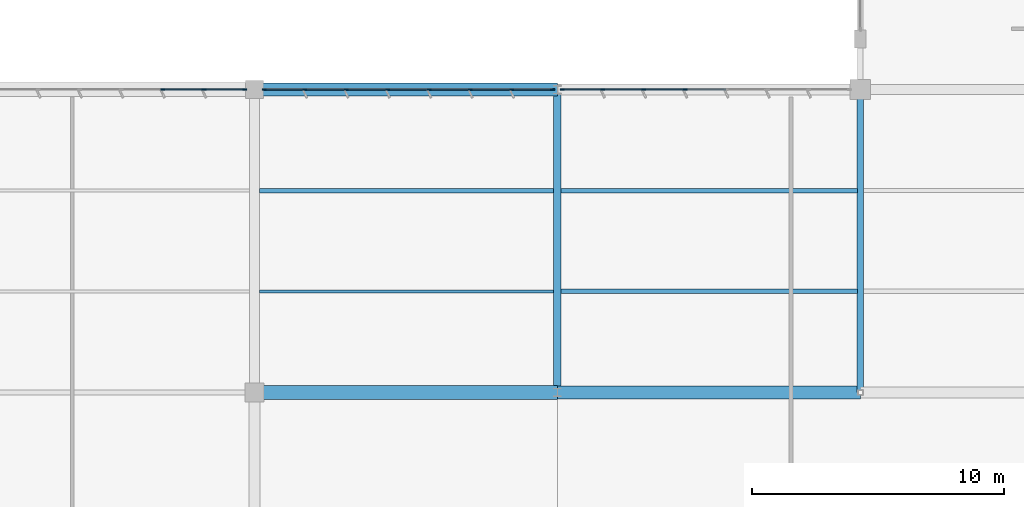
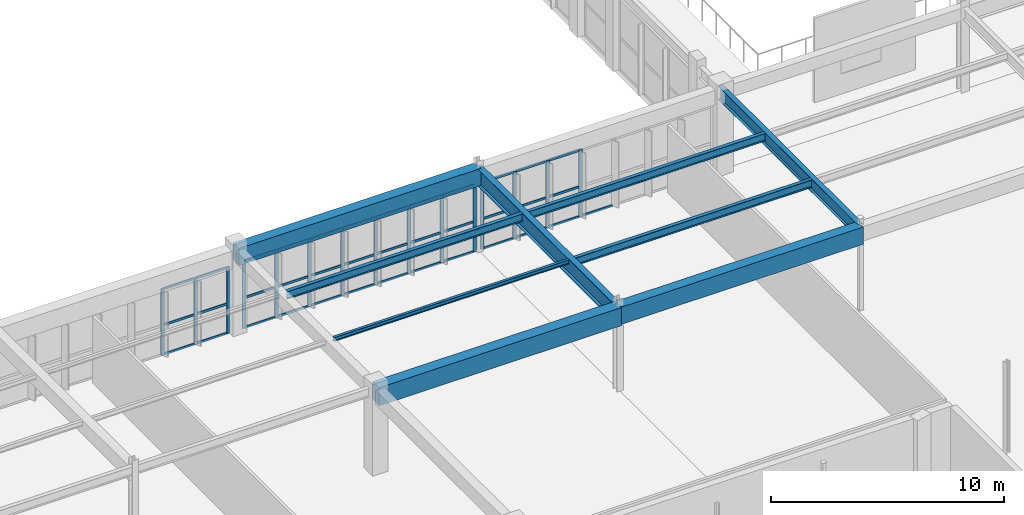
# One storey, part 83 of 226: 52 members, 9 beams, 3 elements without a shape of their own.
"""IFC4 building model written with IfcOpenShell, lengths in metres."""

from ifc_helpers import new_model, si_unit, direction, frame, origin, origin_2d, place, context, subcontext, project, spatial, rectangle, i_section, extrude, material, layer, layer_set, material_profile, profile_set, type_object, element, aggregate, save


model = new_model("IFC4")

# Units and contexts
model_context = context("Model", 3, precision=1e-05, world=origin(), true_north=direction((0.0, 1.0)))
body_context = subcontext(model_context, "Body", "Model", "MODEL_VIEW")
ifc_project = project(units=[si_unit("LENGTHUNIT", "METRE"), si_unit("AREAUNIT", "SQUARE_METRE"), si_unit("VOLUMEUNIT", "CUBIC_METRE"), si_unit("PLANEANGLEUNIT", "RADIAN"), si_unit("MASSUNIT", "GRAM", prefix="KILO")], contexts=[model_context])

# Site, building, storey
site_placement = place(None, origin())
site = spatial("IfcSite", under=ifc_project, at=site_placement, CompositionType="ELEMENT")
building_placement = place(site_placement, origin())
building = spatial("IfcBuilding", under=site, at=building_placement, Name="Tarnwether General Hospital", CompositionType="ELEMENT")
storey_placement = place(building_placement, frame((0.0, 0.0, 4.800048828125)))
storey = spatial("IfcBuildingStorey", under=building, at=storey_placement, Name="L01", CompositionType="ELEMENT", Elevation=4.800048828125)

# Beams
ifc_material_1 = material(Name="Steel Grade 350 (350 MPa)", Category="steel")
ifc_material_profile_1 = material_profile(ifc_material_1, i_section(OverallWidth=0.300048828125, OverallDepth=0.89990234375, WebThickness=0.011962890625, FlangeThickness=0.02001953125, at=origin_2d()), Name="900WB175")
ifc_profile_set_1 = profile_set([ifc_material_profile_1], Name="Steel Grade 350 (350 MPa)")
beam_type_1 = type_object("IfcBeamType", Name="BM-G01", PredefinedType="BEAM", material=ifc_profile_set_1)
beam_1_placement = place(storey_placement, frame((96.0, 33.60009765625, 3.994873046875), z_axis=(0.0, 1.0, 0.0), x_axis=(-1.0, 0.0, 0.0)))
element("IfcBeam", 1, at=beam_1_placement, inside=storey, type_object=beam_type_1, Name="Primary Girder BMG-L01-9600_3360-9600_4560-1163", PredefinedType="BEAM", context=body_context, shape_type="SweptSolid", body=[
    extrude(i_section(OverallWidth=0.300048828125, OverallDepth=0.89990234375, WebThickness=0.011962890625, FlangeThickness=0.02001953125, at=origin_2d()), origin(), (0.0, 0.0, 1.0), 12.0),
])
ifc_material_2 = material(Name="Steel Grade 350 (350 MPa)", Category="steel")
ifc_material_profile_2 = material_profile(ifc_material_2, i_section(OverallWidth=0.25, OverallDepth=0.69189453125, WebThickness=0.009033203125, FlangeThickness=0.01611328125, at=origin_2d()), Name="700WB115")
ifc_profile_set_2 = profile_set([ifc_material_profile_2], Name="Steel Grade 350 (350 MPa)")
beam_type_2 = type_object("IfcBeamType", Name="BM-G02", PredefinedType="BEAM", material=ifc_profile_set_2)
beam_2_placement = place(storey_placement, frame((108.0, 33.60009765625, 4.098876953125), z_axis=(0.0, 1.0, 0.0), x_axis=(-1.0, 0.0, 0.0)))
element("IfcBeam", 2, at=beam_2_placement, inside=storey, type_object=beam_type_2, Name="Primary Girder BMG-L01-10800_3360-10800_4560-1174", PredefinedType="BEAM", context=body_context, shape_type="SweptSolid", body=[
    extrude(i_section(OverallWidth=0.25, OverallDepth=0.69189453125, WebThickness=0.009033203125, FlangeThickness=0.01611328125, at=origin_2d()), origin(), (0.0, 0.0, 1.0), 12.0),
])
ifc_material_3 = material(Name="Concrete 40 MPa", Category="concrete")
ifc_material_profile_3 = material_profile(ifc_material_3, rectangle(XDim=0.550048828125, YDim=0.949951171875, at=origin_2d()), Name="RC-BM-550x950")
ifc_profile_set_3 = profile_set([ifc_material_profile_3], Name="Concrete 40 MPa")
beam_type_3 = type_object("IfcBeamType", Name="BM-G11", PredefinedType="BEAM", material=ifc_profile_set_3)
beam_3_placement = place(storey_placement, frame((84.0, 33.60009765625, 3.969970703125), z_axis=(1.0, 0.0, 0.0), x_axis=(0.0, 1.0, 0.0)))
element("IfcBeam", 3, at=beam_3_placement, inside=storey, type_object=beam_type_3, Name="Primary Girder BMG-L01-8400_3360-9600_3360-1148", PredefinedType="BEAM", context=body_context, shape_type="SweptSolid", body=[
    extrude(rectangle(XDim=0.550048828125, YDim=0.949951171875, at=origin_2d()), origin(), (0.0, 0.0, 1.0), 12.0),
])
ifc_material_4 = material(Name="Concrete 40 MPa", Category="concrete")
ifc_material_profile_4 = material_profile(ifc_material_4, rectangle(XDim=0.5, YDim=0.89990234375, at=origin_2d()), Name="RC-BM-500x900")
ifc_profile_set_4 = profile_set([ifc_material_profile_4], Name="Concrete 40 MPa")
beam_type_4 = type_object("IfcBeamType", Name="BM-G12", PredefinedType="BEAM", material=ifc_profile_set_4)
for number, where, z_axis, x_axis, name in (
    (4, (84.0, 45.60009765625, 3.994873046875), (1.0, 0.0, 0.0), (0.0, 1.0, 0.0), "Primary Girder BMG-L01-8400_4560-9600_4560-1150"),
    (5, (96.0, 33.60009765625, 3.994873046875), (1.0, 0.0, 0.0), (0.0, 1.0, 0.0), "Primary Girder BMG-L01-9600_3360-10800_3360-1162"),
):
    element("IfcBeam", number, at=place(storey_placement, frame(where, z_axis=z_axis, x_axis=x_axis)), inside=storey, type_object=beam_type_4, Name=name, PredefinedType="BEAM", context=body_context, shape_type="SweptSolid", body=[
        extrude(rectangle(XDim=0.5, YDim=0.89990234375, at=origin_2d()), origin(), (0.0, 0.0, 1.0), 12.0),
    ])
ifc_material_5 = material(Name="Steel Grade 350 (350 MPa)", Category="steel")
ifc_material_profile_5 = material_profile(ifc_material_5, i_section(OverallWidth=0.177978515625, OverallDepth=0.406005859375, WebThickness=0.0078125, FlangeThickness=0.0126953125, at=origin_2d()), Name="410UB59.7")
ifc_profile_set_5 = profile_set([ifc_material_profile_5], Name="Steel Grade 350 (350 MPa)")
beam_type_5 = type_object("IfcBeamType", Name="BM-J01", PredefinedType="JOIST", material=ifc_profile_set_5)
beam_4_placement = place(storey_placement, frame((84.194091796875, 41.60009765625, 4.241943359375), z_axis=(1.0, 0.0, 0.0), x_axis=(0.0, 1.0, 0.0)))
element("IfcBeam", 6, at=beam_4_placement, inside=storey, type_object=beam_type_5, Name="Composite Floor Joist BMG-L01-8419_4160-9586_4160-1364", PredefinedType="JOIST", context=body_context, shape_type="SweptSolid", body=[
    extrude(i_section(OverallWidth=0.177978515625, OverallDepth=0.406005859375, WebThickness=0.0078125, FlangeThickness=0.0126953125, at=origin_2d()), origin(), (0.0, 0.0, 1.0), 11.661865234375),
])
beam_5_placement = place(storey_placement, frame((96.14404296875, 37.60009765625, 4.241943359375), z_axis=(1.0, 0.0, 0.0), x_axis=(0.0, 1.0, 0.0)))
element("IfcBeam", 7, at=beam_5_placement, inside=storey, type_object=beam_type_5, Name="Composite Floor Joist BMG-L01-9614_3760-10788_3760-1371", PredefinedType="JOIST", context=body_context, shape_type="SweptSolid", body=[
    extrude(i_section(OverallWidth=0.177978515625, OverallDepth=0.406005859375, WebThickness=0.0078125, FlangeThickness=0.0126953125, at=origin_2d()), origin(), (0.0, 0.0, 1.0), 11.737060546875),
])
ifc_material_6 = material(Name="Steel Grade 350 (350 MPa)", Category="steel")
ifc_material_profile_6 = material_profile(ifc_material_6, i_section(OverallWidth=0.177978515625, OverallDepth=0.403076171875, WebThickness=0.007568359375, FlangeThickness=0.010986328125, at=origin_2d()), Name="410UB53.7")
ifc_profile_set_6 = profile_set([ifc_material_profile_6], Name="Steel Grade 350 (350 MPa)")
beam_type_6 = type_object("IfcBeamType", Name="BM-J02", PredefinedType="JOIST", material=ifc_profile_set_6)
beam_6_placement = place(storey_placement, frame((96.14404296875, 41.60009765625, 4.243408203125), z_axis=(1.0, 0.0, 0.0), x_axis=(0.0, 1.0, 0.0)))
element("IfcBeam", 8, at=beam_6_placement, inside=storey, type_object=beam_type_6, Name="Composite Floor Joist BMG-L01-9614_4160-10788_4160-1372", PredefinedType="JOIST", context=body_context, shape_type="SweptSolid", body=[
    extrude(i_section(OverallWidth=0.177978515625, OverallDepth=0.403076171875, WebThickness=0.007568359375, FlangeThickness=0.010986328125, at=origin_2d()), origin(), (0.0, 0.0, 1.0), 11.737060546875),
])
ifc_material_7 = material(Name="Steel Grade 350 (350 MPa)", Category="steel")
ifc_material_profile_7 = material_profile(ifc_material_7, i_section(OverallWidth=0.134033203125, OverallDepth=0.20703125, WebThickness=0.00634765625, FlangeThickness=0.009521484375, at=origin_2d()), Name="200UB29.8")
ifc_profile_set_7 = profile_set([ifc_material_profile_7], Name="Steel Grade 350 (350 MPa)")
beam_type_7 = type_object("IfcBeamType", Name="BM-J12", PredefinedType="JOIST", material=ifc_profile_set_7)
beam_7_placement = place(storey_placement, frame((84.194091796875, 37.60009765625, 4.341552734375), z_axis=(1.0, 0.0, 0.0), x_axis=(0.0, 1.0, 0.0)))
element("IfcBeam", 9, at=beam_7_placement, inside=storey, type_object=beam_type_7, Name="Composite Floor Joist BMG-L01-8419_3760-9586_3760-1363", PredefinedType="JOIST", context=body_context, shape_type="SweptSolid", body=[
    extrude(i_section(OverallWidth=0.134033203125, OverallDepth=0.20703125, WebThickness=0.00634765625, FlangeThickness=0.009521484375, at=origin_2d()), origin(), (0.0, 0.0, 1.0), 11.661865234375),
])

# Curtain wall, members
ifc_material_8 = material(Name="Anodised aluminium", Category="aluminium")
ifc_layer = layer(ifc_material_8, 0.159912109375)
ifc_layer_set = layer_set([ifc_layer], Name="Anodised aluminium")
curtain_wall_type = type_object("IfcCurtainWallType", Name="CW-24", PredefinedType="NOTDEFINED", material=ifc_layer_set)
curtain_wall_1_placement = place(storey_placement, origin())
curtain_wall_1 = element("IfcCurtainWall", 10, at=curtain_wall_1_placement, inside=storey, type_object=curtain_wall_type, Name="Curtain Wall CWG-L01-1076_456-0343", PredefinedType="NOTDEFINED")
ifc_material_9 = material(Name="Anodised aluminium", Category="aluminium")
ifc_material_profile_8 = material_profile(ifc_material_9, rectangle(XDim=0.06005859375, YDim=0.159912109375, at=origin_2d()), Name="ALU-MUL-60x160")
ifc_profile_set_8 = profile_set([ifc_material_profile_8], Name="Anodised aluminium")
member_type_1 = type_object("IfcMemberType", Name="CW-ML1", PredefinedType="MULLION", material=ifc_profile_set_8)
member_1_placement = place(storey_placement, frame((101.060546875, 45.60009765625, 0.0), z_axis=(0.0, 0.0, 1.0), x_axis=(0.0, -1.0, 0.0)))
member_1 = element("IfcMember", 11, at=member_1_placement, type_object=member_type_1, Name="CW-24 mullion 5", PredefinedType="MULLION", context=body_context, shape_type="SweptSolid", body=[
    extrude(rectangle(XDim=0.06005859375, YDim=0.159912109375, at=origin_2d()), origin(), (0.0, 0.0, 1.0), 3.530029296875),
])
member_2_placement = place(storey_placement, frame((99.427734375, 45.60009765625, 0.0), z_axis=(0.0, 0.0, 1.0), x_axis=(0.0, -1.0, 0.0)))
member_2 = element("IfcMember", 12, at=member_2_placement, type_object=member_type_1, Name="CW-24 mullion 6", PredefinedType="MULLION", context=body_context, shape_type="SweptSolid", body=[
    extrude(rectangle(XDim=0.06005859375, YDim=0.159912109375, at=origin_2d()), origin(), (0.0, 0.0, 1.0), 3.530029296875),
])
member_3_placement = place(storey_placement, frame((97.794921875, 45.60009765625, 0.0), z_axis=(0.0, 0.0, 1.0), x_axis=(0.0, -1.0, 0.0)))
member_3 = element("IfcMember", 13, at=member_3_placement, type_object=member_type_1, Name="CW-24 mullion 7", PredefinedType="MULLION", context=body_context, shape_type="SweptSolid", body=[
    extrude(rectangle(XDim=0.06005859375, YDim=0.159912109375, at=origin_2d()), origin(), (0.0, 0.0, 1.0), 3.530029296875),
])
member_4_placement = place(storey_placement, frame((96.19189453125, 45.60009765625, 0.0), z_axis=(0.0, 0.0, 1.0), x_axis=(0.0, -1.0, 0.0)))
member_4 = element("IfcMember", 14, at=member_4_placement, type_object=member_type_1, Name="CW-24 mullion 8", PredefinedType="MULLION", context=body_context, shape_type="SweptSolid", body=[
    extrude(rectangle(XDim=0.06005859375, YDim=0.159912109375, at=origin_2d()), origin(), (0.0, 0.0, 1.0), 3.530029296875),
])

curtain_wall_2_placement = place(storey_placement, origin())
curtain_wall_2 = element("IfcCurtainWall", 15, at=curtain_wall_2_placement, inside=storey, type_object=curtain_wall_type, Name="Curtain Wall CWG-L01-958_456-0344", PredefinedType="NOTDEFINED")
member_5_placement = place(storey_placement, frame((95.80810546875, 45.60009765625, 0.0), z_axis=(0.0, 0.0, 1.0), x_axis=(0.0, -1.0, 0.0)))
member_5 = element("IfcMember", 16, at=member_5_placement, type_object=member_type_1, Name="CW-24 mullion 1", PredefinedType="MULLION", context=body_context, shape_type="SweptSolid", body=[
    extrude(rectangle(XDim=0.06005859375, YDim=0.159912109375, at=origin_2d()), origin(), (0.0, 0.0, 1.0), 3.530029296875),
])
member_6_placement = place(storey_placement, frame((94.197998046875, 45.60009765625, 0.0), z_axis=(0.0, 0.0, 1.0), x_axis=(0.0, -1.0, 0.0)))
member_6 = element("IfcMember", 17, at=member_6_placement, type_object=member_type_1, Name="CW-24 mullion 2", PredefinedType="MULLION", context=body_context, shape_type="SweptSolid", body=[
    extrude(rectangle(XDim=0.06005859375, YDim=0.159912109375, at=origin_2d()), origin(), (0.0, 0.0, 1.0), 3.530029296875),
])
member_7_placement = place(storey_placement, frame((92.55810546875, 45.60009765625, 0.0), z_axis=(0.0, 0.0, 1.0), x_axis=(0.0, -1.0, 0.0)))
member_7 = element("IfcMember", 18, at=member_7_placement, type_object=member_type_1, Name="CW-24 mullion 3", PredefinedType="MULLION", context=body_context, shape_type="SweptSolid", body=[
    extrude(rectangle(XDim=0.06005859375, YDim=0.159912109375, at=origin_2d()), origin(), (0.0, 0.0, 1.0), 3.530029296875),
])
member_8_placement = place(storey_placement, frame((90.91796875, 45.60009765625, 0.0), z_axis=(0.0, 0.0, 1.0), x_axis=(0.0, -1.0, 0.0)))
member_8 = element("IfcMember", 19, at=member_8_placement, type_object=member_type_1, Name="CW-24 mullion 4", PredefinedType="MULLION", context=body_context, shape_type="SweptSolid", body=[
    extrude(rectangle(XDim=0.06005859375, YDim=0.159912109375, at=origin_2d()), origin(), (0.0, 0.0, 1.0), 3.530029296875),
])
member_9_placement = place(storey_placement, frame((89.278076171875, 45.60009765625, 0.0), z_axis=(0.0, 0.0, 1.0), x_axis=(0.0, -1.0, 0.0)))
member_9 = element("IfcMember", 20, at=member_9_placement, type_object=member_type_1, Name="CW-24 mullion 5", PredefinedType="MULLION", context=body_context, shape_type="SweptSolid", body=[
    extrude(rectangle(XDim=0.06005859375, YDim=0.159912109375, at=origin_2d()), origin(), (0.0, 0.0, 1.0), 3.530029296875),
])
member_10_placement = place(storey_placement, frame((87.637939453125, 45.60009765625, 0.0), z_axis=(0.0, 0.0, 1.0), x_axis=(0.0, -1.0, 0.0)))
member_10 = element("IfcMember", 21, at=member_10_placement, type_object=member_type_1, Name="CW-24 mullion 6", PredefinedType="MULLION", context=body_context, shape_type="SweptSolid", body=[
    extrude(rectangle(XDim=0.06005859375, YDim=0.159912109375, at=origin_2d()), origin(), (0.0, 0.0, 1.0), 3.530029296875),
])
member_11_placement = place(storey_placement, frame((85.998046875, 45.60009765625, 0.0), z_axis=(0.0, 0.0, 1.0), x_axis=(0.0, -1.0, 0.0)))
member_11 = element("IfcMember", 22, at=member_11_placement, type_object=member_type_1, Name="CW-24 mullion 7", PredefinedType="MULLION", context=body_context, shape_type="SweptSolid", body=[
    extrude(rectangle(XDim=0.06005859375, YDim=0.159912109375, at=origin_2d()), origin(), (0.0, 0.0, 1.0), 3.530029296875),
])
member_12_placement = place(storey_placement, frame((84.387939453125, 45.60009765625, 0.0), z_axis=(0.0, 0.0, 1.0), x_axis=(0.0, -1.0, 0.0)))
member_12 = element("IfcMember", 23, at=member_12_placement, type_object=member_type_1, Name="CW-24 mullion 8", PredefinedType="MULLION", context=body_context, shape_type="SweptSolid", body=[
    extrude(rectangle(XDim=0.06005859375, YDim=0.159912109375, at=origin_2d()), origin(), (0.0, 0.0, 1.0), 3.530029296875),
])

curtain_wall_3_placement = place(storey_placement, origin())
curtain_wall_3 = element("IfcCurtainWall", 24, at=curtain_wall_3_placement, inside=storey, type_object=curtain_wall_type, Name="Curtain Wall CWG-L01-836_456-0345", PredefinedType="NOTDEFINED")
member_13_placement = place(storey_placement, frame((83.612060546875, 45.60009765625, 0.0), z_axis=(0.0, 0.0, 1.0), x_axis=(0.0, -1.0, 0.0)))
member_13 = element("IfcMember", 25, at=member_13_placement, type_object=member_type_1, Name="CW-24 mullion 1", PredefinedType="MULLION", context=body_context, shape_type="SweptSolid", body=[
    extrude(rectangle(XDim=0.06005859375, YDim=0.159912109375, at=origin_2d()), origin(), (0.0, 0.0, 1.0), 3.47998046875),
])
member_14_placement = place(storey_placement, frame((82.001708984375, 45.60009765625, 0.0), z_axis=(0.0, 0.0, 1.0), x_axis=(0.0, -1.0, 0.0)))
member_14 = element("IfcMember", 26, at=member_14_placement, type_object=member_type_1, Name="CW-24 mullion 2", PredefinedType="MULLION", context=body_context, shape_type="SweptSolid", body=[
    extrude(rectangle(XDim=0.06005859375, YDim=0.159912109375, at=origin_2d()), origin(), (0.0, 0.0, 1.0), 3.47998046875),
])
member_15_placement = place(storey_placement, frame((80.361328125, 45.60009765625, 0.0), z_axis=(0.0, 0.0, 1.0), x_axis=(0.0, -1.0, 0.0)))
member_15 = element("IfcMember", 27, at=member_15_placement, type_object=member_type_1, Name="CW-24 mullion 3", PredefinedType="MULLION", context=body_context, shape_type="SweptSolid", body=[
    extrude(rectangle(XDim=0.06005859375, YDim=0.159912109375, at=origin_2d()), origin(), (0.0, 0.0, 1.0), 3.47998046875),
])

# Member
ifc_material_10 = material(Name="Anodised aluminium", Category="aluminium")
ifc_material_profile_9 = material_profile(ifc_material_10, rectangle(XDim=0.06005859375, YDim=0.1201171875, at=origin_2d()), Name="ALU-TRN-60x120")
ifc_profile_set_9 = profile_set([ifc_material_profile_9], Name="Anodised aluminium")
member_type_2 = type_object("IfcMemberType", Name="CW-TR1", PredefinedType="USERDEFINED", material=ifc_profile_set_9)
member_16_placement = place(storey_placement, frame((102.663330078125, 45.60009765625, 0.030029296875), z_axis=(-1.0, 0.0, 0.0), x_axis=(0.0, -1.0, 0.0)))
member_16 = element("IfcMember", 28, at=member_16_placement, type_object=member_type_2, Name="CW-24 transom 4.1", ObjectType="TRANSOM", PredefinedType="USERDEFINED", context=body_context, shape_type="SweptSolid", body=[
    extrude(rectangle(XDim=0.06005859375, YDim=0.1201171875, at=origin_2d()), origin(), (0.0, 0.0, 1.0), 1.57275390625),
])

member_17_placement = place(storey_placement, frame((101.030517578125, 45.60009765625, 0.030029296875), z_axis=(-1.0, 0.0, 0.0), x_axis=(0.0, -1.0, 0.0)))
member_17 = element("IfcMember", 29, at=member_17_placement, type_object=member_type_2, Name="CW-24 transom 5.1", ObjectType="TRANSOM", PredefinedType="USERDEFINED", context=body_context, shape_type="SweptSolid", body=[
    extrude(rectangle(XDim=0.06005859375, YDim=0.1201171875, at=origin_2d()), origin(), (0.0, 0.0, 1.0), 1.57275390625),
])

member_18_placement = place(storey_placement, frame((101.030517578125, 45.60009765625, 1.58837890625), z_axis=(-1.0, 0.0, 0.0), x_axis=(0.0, -1.0, 0.0)))
member_18 = element("IfcMember", 30, at=member_18_placement, type_object=member_type_2, Name="CW-24 transom 5.2", ObjectType="TRANSOM", PredefinedType="USERDEFINED", context=body_context, shape_type="SweptSolid", body=[
    extrude(rectangle(XDim=0.06005859375, YDim=0.1201171875, at=origin_2d()), origin(), (0.0, 0.0, 1.0), 1.57275390625),
])

member_19_placement = place(storey_placement, frame((101.030517578125, 45.60009765625, 3.5), z_axis=(-1.0, 0.0, 0.0), x_axis=(0.0, -1.0, 0.0)))
member_19 = element("IfcMember", 31, at=member_19_placement, type_object=member_type_2, Name="CW-24 transom 5.3", ObjectType="TRANSOM", PredefinedType="USERDEFINED", context=body_context, shape_type="SweptSolid", body=[
    extrude(rectangle(XDim=0.06005859375, YDim=0.1201171875, at=origin_2d()), origin(), (0.0, 0.0, 1.0), 1.57275390625),
])

member_20_placement = place(storey_placement, frame((99.397705078125, 45.60009765625, 0.030029296875), z_axis=(-1.0, 0.0, 0.0), x_axis=(0.0, -1.0, 0.0)))
member_20 = element("IfcMember", 32, at=member_20_placement, type_object=member_type_2, Name="CW-24 transom 6.1", ObjectType="TRANSOM", PredefinedType="USERDEFINED", context=body_context, shape_type="SweptSolid", body=[
    extrude(rectangle(XDim=0.06005859375, YDim=0.1201171875, at=origin_2d()), origin(), (0.0, 0.0, 1.0), 1.57275390625),
])

member_21_placement = place(storey_placement, frame((99.397705078125, 45.60009765625, 1.58837890625), z_axis=(-1.0, 0.0, 0.0), x_axis=(0.0, -1.0, 0.0)))
member_21 = element("IfcMember", 33, at=member_21_placement, type_object=member_type_2, Name="CW-24 transom 6.2", ObjectType="TRANSOM", PredefinedType="USERDEFINED", context=body_context, shape_type="SweptSolid", body=[
    extrude(rectangle(XDim=0.06005859375, YDim=0.1201171875, at=origin_2d()), origin(), (0.0, 0.0, 1.0), 1.57275390625),
])

member_22_placement = place(storey_placement, frame((99.397705078125, 45.60009765625, 3.5), z_axis=(-1.0, 0.0, 0.0), x_axis=(0.0, -1.0, 0.0)))
member_22 = element("IfcMember", 34, at=member_22_placement, type_object=member_type_2, Name="CW-24 transom 6.3", ObjectType="TRANSOM", PredefinedType="USERDEFINED", context=body_context, shape_type="SweptSolid", body=[
    extrude(rectangle(XDim=0.06005859375, YDim=0.1201171875, at=origin_2d()), origin(), (0.0, 0.0, 1.0), 1.57275390625),
])

member_23_placement = place(storey_placement, frame((97.764892578125, 45.60009765625, 0.030029296875), z_axis=(-1.0, 0.0, 0.0), x_axis=(0.0, -1.0, 0.0)))
member_23 = element("IfcMember", 35, at=member_23_placement, type_object=member_type_2, Name="CW-24 transom 7.1", ObjectType="TRANSOM", PredefinedType="USERDEFINED", context=body_context, shape_type="SweptSolid", body=[
    extrude(rectangle(XDim=0.06005859375, YDim=0.1201171875, at=origin_2d()), origin(), (0.0, 0.0, 1.0), 1.54296875),
])

member_24_placement = place(storey_placement, frame((97.764892578125, 45.60009765625, 1.58837890625), z_axis=(-1.0, 0.0, 0.0), x_axis=(0.0, -1.0, 0.0)))
member_24 = element("IfcMember", 36, at=member_24_placement, type_object=member_type_2, Name="CW-24 transom 7.2", ObjectType="TRANSOM", PredefinedType="USERDEFINED", context=body_context, shape_type="SweptSolid", body=[
    extrude(rectangle(XDim=0.06005859375, YDim=0.1201171875, at=origin_2d()), origin(), (0.0, 0.0, 1.0), 1.54296875),
])

member_25_placement = place(storey_placement, frame((97.764892578125, 45.60009765625, 3.5), z_axis=(-1.0, 0.0, 0.0), x_axis=(0.0, -1.0, 0.0)))
member_25 = element("IfcMember", 37, at=member_25_placement, type_object=member_type_2, Name="CW-24 transom 7.3", ObjectType="TRANSOM", PredefinedType="USERDEFINED", context=body_context, shape_type="SweptSolid", body=[
    extrude(rectangle(XDim=0.06005859375, YDim=0.1201171875, at=origin_2d()), origin(), (0.0, 0.0, 1.0), 1.54296875),
])

aggregate(curtain_wall_1, [member_1, member_2, member_3, member_4, member_16, member_17, member_18, member_19, member_20, member_21, member_22, member_23, member_24, member_25])

member_26_placement = place(storey_placement, frame((95.778076171875, 45.60009765625, 0.030029296875), z_axis=(-1.0, 0.0, 0.0), x_axis=(0.0, -1.0, 0.0)))
member_26 = element("IfcMember", 38, at=member_26_placement, type_object=member_type_2, Name="CW-24 transom 1.1", ObjectType="TRANSOM", PredefinedType="USERDEFINED", context=body_context, shape_type="SweptSolid", body=[
    extrude(rectangle(XDim=0.06005859375, YDim=0.1201171875, at=origin_2d()), origin(), (0.0, 0.0, 1.0), 1.550048828125),
])

member_27_placement = place(storey_placement, frame((95.778076171875, 45.60009765625, 1.58837890625), z_axis=(-1.0, 0.0, 0.0), x_axis=(0.0, -1.0, 0.0)))
member_27 = element("IfcMember", 39, at=member_27_placement, type_object=member_type_2, Name="CW-24 transom 1.2", ObjectType="TRANSOM", PredefinedType="USERDEFINED", context=body_context, shape_type="SweptSolid", body=[
    extrude(rectangle(XDim=0.06005859375, YDim=0.1201171875, at=origin_2d()), origin(), (0.0, 0.0, 1.0), 1.550048828125),
])

member_28_placement = place(storey_placement, frame((95.778076171875, 45.60009765625, 3.5), z_axis=(-1.0, 0.0, 0.0), x_axis=(0.0, -1.0, 0.0)))
member_28 = element("IfcMember", 40, at=member_28_placement, type_object=member_type_2, Name="CW-24 transom 1.3", ObjectType="TRANSOM", PredefinedType="USERDEFINED", context=body_context, shape_type="SweptSolid", body=[
    extrude(rectangle(XDim=0.06005859375, YDim=0.1201171875, at=origin_2d()), origin(), (0.0, 0.0, 1.0), 1.550048828125),
])

member_29_placement = place(storey_placement, frame((94.16796875, 45.60009765625, 0.030029296875), z_axis=(-1.0, 0.0, 0.0), x_axis=(0.0, -1.0, 0.0)))
member_29 = element("IfcMember", 41, at=member_29_placement, type_object=member_type_2, Name="CW-24 transom 2.1", ObjectType="TRANSOM", PredefinedType="USERDEFINED", context=body_context, shape_type="SweptSolid", body=[
    extrude(rectangle(XDim=0.06005859375, YDim=0.1201171875, at=origin_2d()), origin(), (0.0, 0.0, 1.0), 1.580078125),
])

member_30_placement = place(storey_placement, frame((94.16796875, 45.60009765625, 1.58837890625), z_axis=(-1.0, 0.0, 0.0), x_axis=(0.0, -1.0, 0.0)))
member_30 = element("IfcMember", 42, at=member_30_placement, type_object=member_type_2, Name="CW-24 transom 2.2", ObjectType="TRANSOM", PredefinedType="USERDEFINED", context=body_context, shape_type="SweptSolid", body=[
    extrude(rectangle(XDim=0.06005859375, YDim=0.1201171875, at=origin_2d()), origin(), (0.0, 0.0, 1.0), 1.580078125),
])

member_31_placement = place(storey_placement, frame((94.16796875, 45.60009765625, 3.5), z_axis=(-1.0, 0.0, 0.0), x_axis=(0.0, -1.0, 0.0)))
member_31 = element("IfcMember", 43, at=member_31_placement, type_object=member_type_2, Name="CW-24 transom 2.3", ObjectType="TRANSOM", PredefinedType="USERDEFINED", context=body_context, shape_type="SweptSolid", body=[
    extrude(rectangle(XDim=0.06005859375, YDim=0.1201171875, at=origin_2d()), origin(), (0.0, 0.0, 1.0), 1.580078125),
])

member_32_placement = place(storey_placement, frame((92.528076171875, 45.60009765625, 0.030029296875), z_axis=(-1.0, 0.0, 0.0), x_axis=(0.0, -1.0, 0.0)))
member_32 = element("IfcMember", 44, at=member_32_placement, type_object=member_type_2, Name="CW-24 transom 3.1", ObjectType="TRANSOM", PredefinedType="USERDEFINED", context=body_context, shape_type="SweptSolid", body=[
    extrude(rectangle(XDim=0.06005859375, YDim=0.1201171875, at=origin_2d()), origin(), (0.0, 0.0, 1.0), 1.580078125),
])

member_33_placement = place(storey_placement, frame((92.528076171875, 45.60009765625, 1.58837890625), z_axis=(-1.0, 0.0, 0.0), x_axis=(0.0, -1.0, 0.0)))
member_33 = element("IfcMember", 45, at=member_33_placement, type_object=member_type_2, Name="CW-24 transom 3.2", ObjectType="TRANSOM", PredefinedType="USERDEFINED", context=body_context, shape_type="SweptSolid", body=[
    extrude(rectangle(XDim=0.06005859375, YDim=0.1201171875, at=origin_2d()), origin(), (0.0, 0.0, 1.0), 1.580078125),
])

member_34_placement = place(storey_placement, frame((92.528076171875, 45.60009765625, 3.5), z_axis=(-1.0, 0.0, 0.0), x_axis=(0.0, -1.0, 0.0)))
member_34 = element("IfcMember", 46, at=member_34_placement, type_object=member_type_2, Name="CW-24 transom 3.3", ObjectType="TRANSOM", PredefinedType="USERDEFINED", context=body_context, shape_type="SweptSolid", body=[
    extrude(rectangle(XDim=0.06005859375, YDim=0.1201171875, at=origin_2d()), origin(), (0.0, 0.0, 1.0), 1.580078125),
])

member_35_placement = place(storey_placement, frame((90.887939453125, 45.60009765625, 0.030029296875), z_axis=(-1.0, 0.0, 0.0), x_axis=(0.0, -1.0, 0.0)))
member_35 = element("IfcMember", 47, at=member_35_placement, type_object=member_type_2, Name="CW-24 transom 4.1", ObjectType="TRANSOM", PredefinedType="USERDEFINED", context=body_context, shape_type="SweptSolid", body=[
    extrude(rectangle(XDim=0.06005859375, YDim=0.1201171875, at=origin_2d()), origin(), (0.0, 0.0, 1.0), 1.579833984375),
])

member_36_placement = place(storey_placement, frame((90.887939453125, 45.60009765625, 1.58837890625), z_axis=(-1.0, 0.0, 0.0), x_axis=(0.0, -1.0, 0.0)))
member_36 = element("IfcMember", 48, at=member_36_placement, type_object=member_type_2, Name="CW-24 transom 4.2", ObjectType="TRANSOM", PredefinedType="USERDEFINED", context=body_context, shape_type="SweptSolid", body=[
    extrude(rectangle(XDim=0.06005859375, YDim=0.1201171875, at=origin_2d()), origin(), (0.0, 0.0, 1.0), 1.579833984375),
])

member_37_placement = place(storey_placement, frame((90.887939453125, 45.60009765625, 3.5), z_axis=(-1.0, 0.0, 0.0), x_axis=(0.0, -1.0, 0.0)))
member_37 = element("IfcMember", 49, at=member_37_placement, type_object=member_type_2, Name="CW-24 transom 4.3", ObjectType="TRANSOM", PredefinedType="USERDEFINED", context=body_context, shape_type="SweptSolid", body=[
    extrude(rectangle(XDim=0.06005859375, YDim=0.1201171875, at=origin_2d()), origin(), (0.0, 0.0, 1.0), 1.579833984375),
])

member_38_placement = place(storey_placement, frame((89.248046875, 45.60009765625, 0.030029296875), z_axis=(-1.0, 0.0, 0.0), x_axis=(0.0, -1.0, 0.0)))
member_38 = element("IfcMember", 50, at=member_38_placement, type_object=member_type_2, Name="CW-24 transom 5.1", ObjectType="TRANSOM", PredefinedType="USERDEFINED", context=body_context, shape_type="SweptSolid", body=[
    extrude(rectangle(XDim=0.06005859375, YDim=0.1201171875, at=origin_2d()), origin(), (0.0, 0.0, 1.0), 1.580078125),
])

member_39_placement = place(storey_placement, frame((89.248046875, 45.60009765625, 1.58837890625), z_axis=(-1.0, 0.0, 0.0), x_axis=(0.0, -1.0, 0.0)))
member_39 = element("IfcMember", 51, at=member_39_placement, type_object=member_type_2, Name="CW-24 transom 5.2", ObjectType="TRANSOM", PredefinedType="USERDEFINED", context=body_context, shape_type="SweptSolid", body=[
    extrude(rectangle(XDim=0.06005859375, YDim=0.1201171875, at=origin_2d()), origin(), (0.0, 0.0, 1.0), 1.580078125),
])

member_40_placement = place(storey_placement, frame((89.248046875, 45.60009765625, 3.5), z_axis=(-1.0, 0.0, 0.0), x_axis=(0.0, -1.0, 0.0)))
member_40 = element("IfcMember", 52, at=member_40_placement, type_object=member_type_2, Name="CW-24 transom 5.3", ObjectType="TRANSOM", PredefinedType="USERDEFINED", context=body_context, shape_type="SweptSolid", body=[
    extrude(rectangle(XDim=0.06005859375, YDim=0.1201171875, at=origin_2d()), origin(), (0.0, 0.0, 1.0), 1.580078125),
])

member_41_placement = place(storey_placement, frame((87.60791015625, 45.60009765625, 0.030029296875), z_axis=(-1.0, 0.0, 0.0), x_axis=(0.0, -1.0, 0.0)))
member_41 = element("IfcMember", 53, at=member_41_placement, type_object=member_type_2, Name="CW-24 transom 6.1", ObjectType="TRANSOM", PredefinedType="USERDEFINED", context=body_context, shape_type="SweptSolid", body=[
    extrude(rectangle(XDim=0.06005859375, YDim=0.1201171875, at=origin_2d()), origin(), (0.0, 0.0, 1.0), 1.579833984375),
])

member_42_placement = place(storey_placement, frame((87.60791015625, 45.60009765625, 1.58837890625), z_axis=(-1.0, 0.0, 0.0), x_axis=(0.0, -1.0, 0.0)))
member_42 = element("IfcMember", 54, at=member_42_placement, type_object=member_type_2, Name="CW-24 transom 6.2", ObjectType="TRANSOM", PredefinedType="USERDEFINED", context=body_context, shape_type="SweptSolid", body=[
    extrude(rectangle(XDim=0.06005859375, YDim=0.1201171875, at=origin_2d()), origin(), (0.0, 0.0, 1.0), 1.579833984375),
])

member_43_placement = place(storey_placement, frame((87.60791015625, 45.60009765625, 3.5), z_axis=(-1.0, 0.0, 0.0), x_axis=(0.0, -1.0, 0.0)))
member_43 = element("IfcMember", 55, at=member_43_placement, type_object=member_type_2, Name="CW-24 transom 6.3", ObjectType="TRANSOM", PredefinedType="USERDEFINED", context=body_context, shape_type="SweptSolid", body=[
    extrude(rectangle(XDim=0.06005859375, YDim=0.1201171875, at=origin_2d()), origin(), (0.0, 0.0, 1.0), 1.579833984375),
])

member_44_placement = place(storey_placement, frame((85.968017578125, 45.60009765625, 0.030029296875), z_axis=(-1.0, 0.0, 0.0), x_axis=(0.0, -1.0, 0.0)))
member_44 = element("IfcMember", 56, at=member_44_placement, type_object=member_type_2, Name="CW-24 transom 7.1", ObjectType="TRANSOM", PredefinedType="USERDEFINED", context=body_context, shape_type="SweptSolid", body=[
    extrude(rectangle(XDim=0.06005859375, YDim=0.1201171875, at=origin_2d()), origin(), (0.0, 0.0, 1.0), 1.550048828125),
])

member_45_placement = place(storey_placement, frame((85.968017578125, 45.60009765625, 1.58837890625), z_axis=(-1.0, 0.0, 0.0), x_axis=(0.0, -1.0, 0.0)))
member_45 = element("IfcMember", 57, at=member_45_placement, type_object=member_type_2, Name="CW-24 transom 7.2", ObjectType="TRANSOM", PredefinedType="USERDEFINED", context=body_context, shape_type="SweptSolid", body=[
    extrude(rectangle(XDim=0.06005859375, YDim=0.1201171875, at=origin_2d()), origin(), (0.0, 0.0, 1.0), 1.550048828125),
])

member_46_placement = place(storey_placement, frame((85.968017578125, 45.60009765625, 3.5), z_axis=(-1.0, 0.0, 0.0), x_axis=(0.0, -1.0, 0.0)))
member_46 = element("IfcMember", 58, at=member_46_placement, type_object=member_type_2, Name="CW-24 transom 7.3", ObjectType="TRANSOM", PredefinedType="USERDEFINED", context=body_context, shape_type="SweptSolid", body=[
    extrude(rectangle(XDim=0.06005859375, YDim=0.1201171875, at=origin_2d()), origin(), (0.0, 0.0, 1.0), 1.550048828125),
])

aggregate(curtain_wall_2, [member_5, member_6, member_7, member_8, member_9, member_10, member_11, member_12, member_26, member_27, member_28, member_29, member_30, member_31, member_32, member_33, member_34, member_35, member_36, member_37, member_38, member_39, member_40, member_41, member_42, member_43, member_44, member_45, member_46])

member_47_placement = place(storey_placement, frame((83.58203125, 45.60009765625, 0.030029296875), z_axis=(-1.0, 0.0, 0.0), x_axis=(0.0, -1.0, 0.0)))
member_47 = element("IfcMember", 59, at=member_47_placement, type_object=member_type_2, Name="CW-24 transom 1.1", ObjectType="TRANSOM", PredefinedType="USERDEFINED", context=body_context, shape_type="SweptSolid", body=[
    extrude(rectangle(XDim=0.06005859375, YDim=0.1201171875, at=origin_2d()), origin(), (0.0, 0.0, 1.0), 1.55029296875),
])

member_48_placement = place(storey_placement, frame((83.58203125, 45.60009765625, 1.56591796875), z_axis=(-1.0, 0.0, 0.0), x_axis=(0.0, -1.0, 0.0)))
member_48 = element("IfcMember", 60, at=member_48_placement, type_object=member_type_2, Name="CW-24 transom 1.2", ObjectType="TRANSOM", PredefinedType="USERDEFINED", context=body_context, shape_type="SweptSolid", body=[
    extrude(rectangle(XDim=0.06005859375, YDim=0.1201171875, at=origin_2d()), origin(), (0.0, 0.0, 1.0), 1.55029296875),
])

member_49_placement = place(storey_placement, frame((83.58203125, 45.60009765625, 3.449951171875), z_axis=(-1.0, 0.0, 0.0), x_axis=(0.0, -1.0, 0.0)))
member_49 = element("IfcMember", 61, at=member_49_placement, type_object=member_type_2, Name="CW-24 transom 1.3", ObjectType="TRANSOM", PredefinedType="USERDEFINED", context=body_context, shape_type="SweptSolid", body=[
    extrude(rectangle(XDim=0.06005859375, YDim=0.1201171875, at=origin_2d()), origin(), (0.0, 0.0, 1.0), 1.55029296875),
])

member_50_placement = place(storey_placement, frame((81.9716796875, 45.60009765625, 0.030029296875), z_axis=(-1.0, 0.0, 0.0), x_axis=(0.0, -1.0, 0.0)))
member_50 = element("IfcMember", 62, at=member_50_placement, type_object=member_type_2, Name="CW-24 transom 2.1", ObjectType="TRANSOM", PredefinedType="USERDEFINED", context=body_context, shape_type="SweptSolid", body=[
    extrude(rectangle(XDim=0.06005859375, YDim=0.1201171875, at=origin_2d()), origin(), (0.0, 0.0, 1.0), 1.580322265625),
])

member_51_placement = place(storey_placement, frame((81.9716796875, 45.60009765625, 1.56591796875), z_axis=(-1.0, 0.0, 0.0), x_axis=(0.0, -1.0, 0.0)))
member_51 = element("IfcMember", 63, at=member_51_placement, type_object=member_type_2, Name="CW-24 transom 2.2", ObjectType="TRANSOM", PredefinedType="USERDEFINED", context=body_context, shape_type="SweptSolid", body=[
    extrude(rectangle(XDim=0.06005859375, YDim=0.1201171875, at=origin_2d()), origin(), (0.0, 0.0, 1.0), 1.580322265625),
])

member_52_placement = place(storey_placement, frame((81.9716796875, 45.60009765625, 3.449951171875), z_axis=(-1.0, 0.0, 0.0), x_axis=(0.0, -1.0, 0.0)))
member_52 = element("IfcMember", 64, at=member_52_placement, type_object=member_type_2, Name="CW-24 transom 2.3", ObjectType="TRANSOM", PredefinedType="USERDEFINED", context=body_context, shape_type="SweptSolid", body=[
    extrude(rectangle(XDim=0.06005859375, YDim=0.1201171875, at=origin_2d()), origin(), (0.0, 0.0, 1.0), 1.580322265625),
])

aggregate(curtain_wall_3, [member_13, member_14, member_15, member_47, member_48, member_49, member_50, member_51, member_52])

save(model, "model.ifc")
